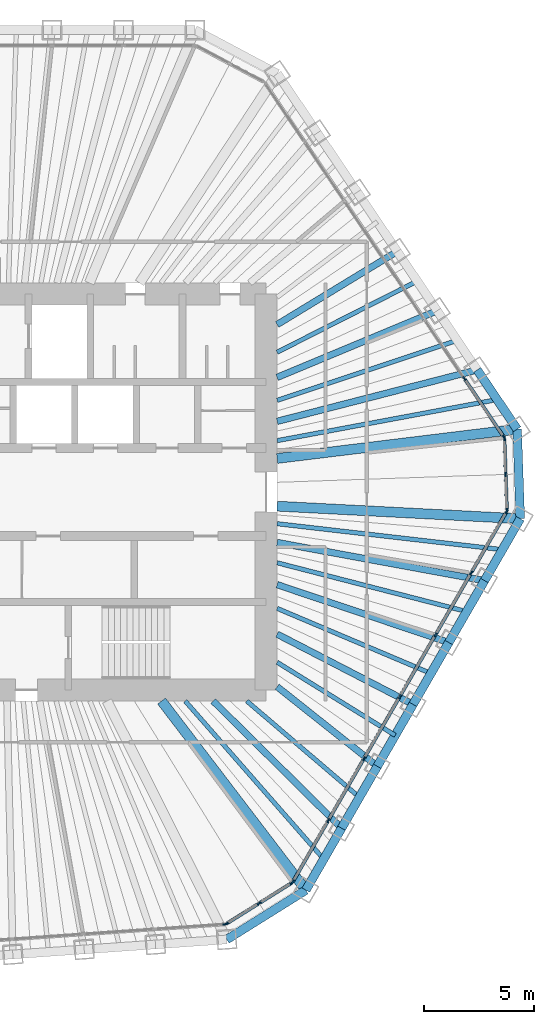
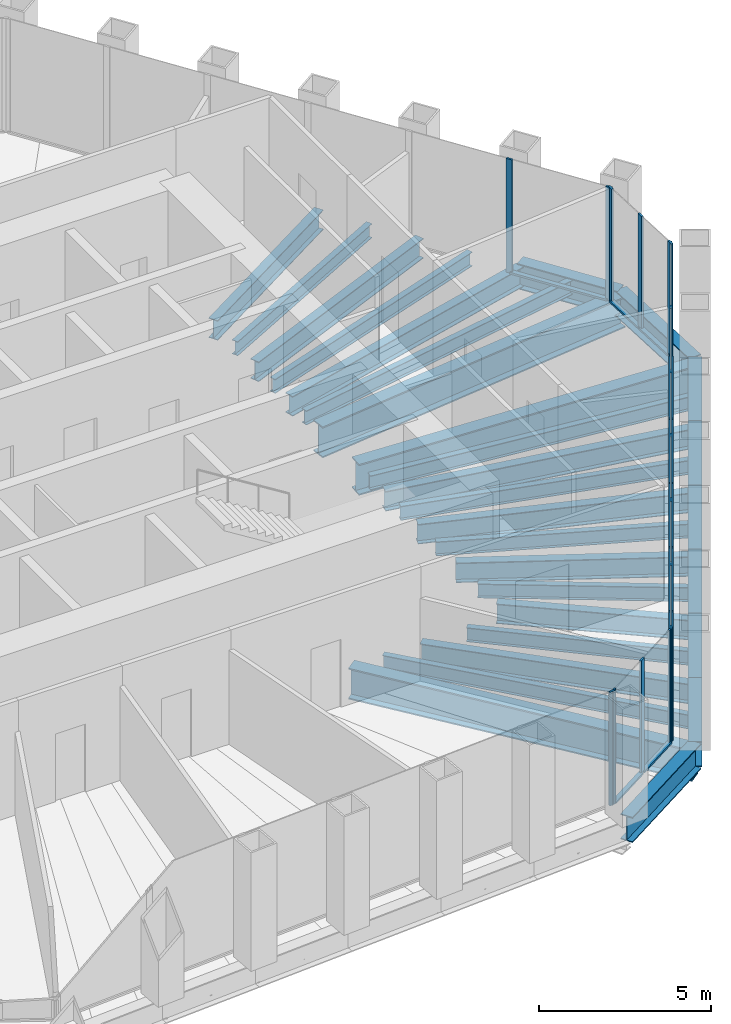
# One storey, part 5 of 14: 29 beams, 27 members, 5 elements without a shape of their own.
"""IFC4 building model written with IfcOpenShell, lengths in metres."""

import ifcopenshell
import ifcopenshell.guid

model = None  # the IFC model being written
_history = None  # IfcOwnerHistory: only IFC2X3 demands one
_inside = {}  # id of a spatial element -> (the spatial element, [elements in it])
_under = {}  # id of a project, library or spatial element -> (it, [spatial elements below it])
_declared = {}  # id of a project -> (the project, [libraries it declares])
_typed = {}  # id of a type object -> (the type object, [elements of that type])
_made_of = {}  # id of a material, layer set ... -> (it, [elements and type objects made of it])


def new_model(schema):
    """Start an empty IFC model of exactly this schema.

    Asked for "IFC4X3", IfcOpenShell would pick the latest addendum, in which some entities
    have other attributes; the version numbers below select the first issue.
    IFC2X3 requires an IfcOwnerHistory on every rooted entity: one is made here for all.
    """
    global model, _history
    if schema == "IFC4X3":
        model = ifcopenshell.file(schema_version=(4, 3, 0, 0))
    else:
        model = ifcopenshell.file(schema=schema)
    _inside.clear()
    _under.clear()
    _declared.clear()
    _typed.clear()
    _made_of.clear()
    _history = None
    if model.schema == "IFC2X3":
        org = make("IfcOrganization", Name="unknown")
        user = make(
            "IfcPersonAndOrganization",
            ThePerson=make("IfcPerson", FamilyName="unknown"),
            TheOrganization=org,
        )
        app = make(
            "IfcApplication",
            ApplicationDeveloper=org,
            Version="unknown",
            ApplicationFullName="unknown",
            ApplicationIdentifier="unknown",
        )
        _history = make(
            "IfcOwnerHistory",
            OwningUser=user,
            OwningApplication=app,
            ChangeAction="ADDED",
            CreationDate=0,
        )
    return model


def make(cls, **values):
    """One entity of the class cls with the attributes given. An attribute that is None is left unset."""
    return model.create_entity(
        cls, **{name: value for name, value in values.items() if value is not None}
    )


def rooted(cls, **values):
    """An entity with a GlobalId (a new one), such as an element, a storey or a relation."""
    return make(cls, GlobalId=ifcopenshell.guid.new(), OwnerHistory=_history, **values)


def si_unit(unit_type, name, prefix=None):
    """IfcSIUnit, for example si_unit("LENGTHUNIT", "METRE", prefix="MILLI")."""
    return make("IfcSIUnit", UnitType=unit_type, Prefix=prefix, Name=name)


def assignment(units):
    """IfcUnitAssignment: the units of a project."""
    return None if units is None else make("IfcUnitAssignment", Units=units)


def point(xyz):
    """IfcCartesianPoint."""
    return None if xyz is None else make("IfcCartesianPoint", Coordinates=xyz)


def direction(xyz):
    """IfcDirection."""
    return None if xyz is None else make("IfcDirection", DirectionRatios=xyz)


def frame(location, z_axis=None, x_axis=None):
    """IfcAxis2Placement3D, a coordinate frame: its origin and axes. An axis left out is left unset."""
    return make(
        "IfcAxis2Placement3D",
        Location=point(location),
        Axis=direction(z_axis),
        RefDirection=direction(x_axis),
    )


def frame_2d(location, x_axis=None):
    """IfcAxis2Placement2D, a coordinate frame in the plane: its origin and x axis."""
    return make(
        "IfcAxis2Placement2D", Location=point(location), RefDirection=direction(x_axis)
    )


def origin():
    """The frame at (0, 0, 0) with its axes left unset."""
    return frame((0.0, 0.0, 0.0))


def origin_2d():
    """The frame at (0, 0) in the plane with its x axis left unset."""
    return frame_2d((0.0, 0.0))


def place(relative_to, where):
    """IfcLocalPlacement: puts the frame where relative to a parent placement (None: the world)."""
    return make(
        "IfcLocalPlacement", PlacementRelTo=relative_to, RelativePlacement=where
    )


def context(
    kind, dimensions, precision=None, world=None, true_north=None, identifier=None
):
    """IfcGeometricRepresentationContext, for example the 3D "Model" context."""
    return make(
        "IfcGeometricRepresentationContext",
        ContextIdentifier=identifier,
        ContextType=kind,
        CoordinateSpaceDimension=dimensions,
        Precision=precision,
        WorldCoordinateSystem=world,
        TrueNorth=true_north,
    )


def subcontext(parent, identifier, kind, view, scale=None):
    """IfcGeometricRepresentationSubContext, for example "Body" below "Model"."""
    return make(
        "IfcGeometricRepresentationSubContext",
        ContextIdentifier=identifier,
        ContextType=kind,
        ParentContext=parent,
        TargetScale=scale,
        TargetView=view,
    )


def project(units=None, contexts=None):
    """IfcProject with its units and contexts."""
    return rooted(
        "IfcProject",
        Name="project",
        RepresentationContexts=contexts,
        UnitsInContext=assignment(units),
    )


def spatial(cls, under=None, at=None, **own):
    """A site, building, storey or space (cls), placed at a placement, below another one or the project."""
    s = rooted(cls, ObjectPlacement=at, **own)
    if under is not None:
        _under.setdefault(under.id(), (under, []))[1].append(s)
    return s


def profile(cls, at=None, kind="AREA", **sizes):
    """A parametric profile (cls). Its sizes go by their IFC names, for example OverallWidth=200.0."""
    return make(cls, ProfileType=kind, Position=at, **sizes)


def rectangle(**sizes):
    """IfcRectangleProfileDef."""
    return profile("IfcRectangleProfileDef", **sizes)


def i_section(**sizes):
    """IfcIShapeProfileDef."""
    return profile("IfcIShapeProfileDef", **sizes)


def extrude(swept, where, along, depth):
    """IfcExtrudedAreaSolid: the profile swept, set in the frame where, extruded along a direction by depth."""
    return make(
        "IfcExtrudedAreaSolid",
        SweptArea=swept,
        Position=where,
        ExtrudedDirection=direction(along),
        Depth=depth,
    )


def shape(context_of_items, identifier, shape_type, items):
    """IfcShapeRepresentation: the items that make up one representation, for example the "Body"."""
    return make(
        "IfcShapeRepresentation",
        ContextOfItems=context_of_items,
        RepresentationIdentifier=identifier,
        RepresentationType=shape_type,
        Items=items,
    )


def material(Name=None, Category=None):
    """IfcMaterial."""
    return make("IfcMaterial", Name=Name, Category=Category)


def material_profile(
    of_material, cross_section, Name=None, Category=None, Priority=None
):
    """IfcMaterialProfile: a cross section and its material."""
    return make(
        "IfcMaterialProfile",
        Name=Name,
        Material=of_material,
        Profile=cross_section,
        Priority=Priority,
        Category=Category,
    )


def profile_set(profiles, Name=None, composite=None):
    """IfcMaterialProfileSet."""
    return make(
        "IfcMaterialProfileSet",
        Name=Name,
        MaterialProfiles=profiles,
        CompositeProfile=composite,
    )


def made_of(thing, what):
    """Note that an element or type object is made of a material, layer set ...; save() writes the relation."""
    if what is not None:
        _made_of.setdefault(what.id(), (what, []))[1].append(thing)
    return thing


def type_object(cls, material=None, **own):
    """A type object (cls), such as IfcWallType, which elements share."""
    return made_of(rooted(cls, **own), material)


def element(
    cls,
    number,
    at=None,
    inside=None,
    cuts=None,
    type_object=None,
    material=None,
    context=None,
    identifier="Body",
    shape_type=None,
    held_by="IfcProductDefinitionShape",
    body=None,
    shapes=None,
    **own,
):
    """One element of the class cls, such as IfcWall. Its Tag is "e" and its number.

    at: its placement. inside: the storey or other place that contains it. cuts: it is an
    opening in that element (IfcRelVoidsElement). A single representation is given by context,
    identifier, shape_type and body (its items); several are given by shapes. held_by: the class
    of the entity that holds the representations. save() writes the other relations.
    """
    e = rooted(cls, Tag="e%d" % number, ObjectPlacement=at, **own)
    if body is not None:
        shapes = [shape(context, identifier, shape_type, body)]
    if shapes is not None:
        e.Representation = make(held_by, Representations=shapes)
    if inside is not None:
        _inside.setdefault(inside.id(), (inside, []))[1].append(e)
    if cuts is not None:
        rooted(
            "IfcRelVoidsElement", RelatingBuildingElement=cuts, RelatedOpeningElement=e
        )
    if type_object is not None:
        _typed.setdefault(type_object.id(), (type_object, []))[1].append(e)
    return made_of(e, material)


def aggregate(whole, parts):
    """IfcRelAggregates: a whole, such as a stair, and the parts it consists of."""
    return rooted("IfcRelAggregates", RelatingObject=whole, RelatedObjects=parts)


def save(model, path):
    """Write the relations noted so far, then the file.

    IfcRelAggregates (storeys below a building ...), IfcRelContainedInSpatialStructure (elements
    in a storey), IfcRelDefinesByType, IfcRelAssociatesMaterial and IfcRelDeclares: one each for
    every whole, place, type object, material and project.
    """
    for whole, parts in _under.values():
        aggregate(whole, parts)
    for where, things in _inside.values():
        rooted(
            "IfcRelContainedInSpatialStructure",
            RelatedElements=things,
            RelatingStructure=where,
        )
    for kind, things in _typed.values():
        rooted("IfcRelDefinesByType", RelatedObjects=things, RelatingType=kind)
    for what, things in _made_of.values():
        rooted("IfcRelAssociatesMaterial", RelatedObjects=things, RelatingMaterial=what)
    for by, libraries in _declared.values():
        rooted("IfcRelDeclares", RelatingContext=by, RelatedDefinitions=libraries)
    model.write(path)


model = new_model("IFC4")

# Units and contexts
model_context = context("Model", 3, precision=1e-05, world=origin(), true_north=direction((0.0, 1.0)))
body_context = subcontext(model_context, "Body", "Model", "MODEL_VIEW")
ifc_project = project(units=[si_unit("LENGTHUNIT", "METRE"), si_unit("AREAUNIT", "SQUARE_METRE"), si_unit("VOLUMEUNIT", "CUBIC_METRE"), si_unit("PLANEANGLEUNIT", "RADIAN"), si_unit("MASSUNIT", "GRAM", prefix="KILO")], contexts=[model_context])

# Site, building, storey
site_placement = place(None, origin())
site = spatial("IfcSite", under=ifc_project, at=site_placement, CompositionType="ELEMENT")
building_placement = place(site_placement, origin())
building = spatial("IfcBuilding", under=site, at=building_placement, Name="Qingtian Harvest Tower", CompositionType="ELEMENT")
storey_placement = place(building_placement, frame((0.0, 0.0, 278.800048828125)))
storey = spatial("IfcBuildingStorey", under=building, at=storey_placement, Name="L61", CompositionType="ELEMENT", Elevation=278.800048828125)

# Beams
ifc_material_1 = material(Name="Steel SM570MC", Category="steel")
ifc_material_profile_1 = material_profile(ifc_material_1, i_section(OverallWidth=0.449951171875, OverallDepth=1.10009765625, WebThickness=0.02197265625, FlangeThickness=0.044921875, at=origin_2d()), Name="H1100x450x22x45")
ifc_profile_set_1 = profile_set([ifc_material_profile_1], Name="Steel SM570MC")
beam_type_1 = type_object("IfcBeamType", Name="Corner floor beam FB8 H1100x450x22x45", PredefinedType="BEAM", material=ifc_profile_set_1)
beam_1_placement = place(storey_placement, frame((23.405517578125, 2.85400390625, -0.719970703125), z_axis=(-0.99264704984, -0.12104476215, 0.0), x_axis=(0.12104476215, -0.99264704984, 0.0)))
element("IfcBeam", 1, at=beam_1_placement, inside=storey, type_object=beam_type_1, Name="Floor beam FB8 NE6", PredefinedType="BEAM", context=body_context, shape_type="SweptSolid", body=[
    extrude(i_section(OverallWidth=0.449951171875, OverallDepth=1.10009765625, WebThickness=0.02197265625, FlangeThickness=0.044921875, at=origin_2d()), origin(), (0.0, 0.0, 1.0), 10.986328125),
])
beam_2_placement = place(storey_placement, frame((23.547607421875, -1.21435546875, -0.719970703125), z_axis=(-0.998672453152, 0.051510497131, 0.0), x_axis=(-0.051510497131, -0.998672453152, 0.0)))
element("IfcBeam", 2, at=beam_2_placement, inside=storey, type_object=beam_type_1, Name="Floor beam FB8 SE0", PredefinedType="BEAM", context=body_context, shape_type="SweptSolid", body=[
    extrude(i_section(OverallWidth=0.449951171875, OverallDepth=1.10009765625, WebThickness=0.02197265625, FlangeThickness=0.044921875, at=origin_2d()), origin(), (0.0, 0.0, 1.0), 11.062255859375),
])
beam_3_placement = place(storey_placement, frame((13.803466796875, -18.091552734375, -0.719970703125), z_axis=(-0.60658352266, 0.795019767073, 0.0), x_axis=(-0.795019767073, -0.60658352266, 0.0)))
element("IfcBeam", 3, at=beam_3_placement, inside=storey, type_object=beam_type_1, Name="Floor beam FB8 SE6", PredefinedType="BEAM", context=body_context, shape_type="SweptSolid", body=[
    extrude(i_section(OverallWidth=0.449951171875, OverallDepth=1.10009765625, WebThickness=0.02197265625, FlangeThickness=0.044921875, at=origin_2d()), origin(), (0.0, 0.0, 1.0), 10.806640625),
])
ifc_material_2 = material(Name="Steel SN490B", Category="steel")
ifc_material_profile_2 = material_profile(ifc_material_2, i_section(OverallWidth=0.300048828125, OverallDepth=0.699951171875, WebThickness=0.012939453125, FlangeThickness=0.02392578125, at=origin_2d()), Name="H700x300x13x24")
ifc_profile_set_2 = profile_set([ifc_material_profile_2], Name="Steel SN490B")
beam_type_2 = type_object("IfcBeamType", Name="Floor beam FB4 H700x300x13x24", PredefinedType="BEAM", material=ifc_profile_set_2)
beam_4_placement = place(storey_placement, frame((17.956787109375, 10.93212890625, -0.52001953125), z_axis=(-0.854163869478, -0.520003926983, 0.0), x_axis=(0.520003926983, -0.854163869478, 0.0)))
element("IfcBeam", 4, at=beam_4_placement, inside=storey, type_object=beam_type_2, Name="Floor beam FB4 NE3", PredefinedType="BEAM", context=body_context, shape_type="SweptSolid", body=[
    extrude(i_section(OverallWidth=0.300048828125, OverallDepth=0.699951171875, WebThickness=0.012939453125, FlangeThickness=0.02392578125, at=origin_2d()), origin(), (0.0, 0.0, 1.0), 6.388427734375),
])
beam_5_placement = place(storey_placement, frame((19.77294921875, 8.2392578125, -0.52001953125), z_axis=(-0.923071422518, -0.38462858569, 0.0), x_axis=(0.38462858569, -0.923071422518, 0.0)))
element("IfcBeam", 5, at=beam_5_placement, inside=storey, type_object=beam_type_2, Name="Floor beam FB4 NE4", PredefinedType="BEAM", context=body_context, shape_type="SweptSolid", body=[
    extrude(i_section(OverallWidth=0.300048828125, OverallDepth=0.699951171875, WebThickness=0.012939453125, FlangeThickness=0.02392578125, at=origin_2d()), origin(), (0.0, 0.0, 1.0), 7.879150390625),
])
beam_6_placement = place(storey_placement, frame((21.58935546875, 5.546630859375, -0.52001953125), z_axis=(-0.968545797703, -0.248835362746, 0.0), x_axis=(0.248835362746, -0.968545797703, 0.0)))
element("IfcBeam", 6, at=beam_6_placement, inside=storey, type_object=beam_type_2, Name="Floor beam FB4 NE5", PredefinedType="BEAM", context=body_context, shape_type="SweptSolid", body=[
    extrude(i_section(OverallWidth=0.300048828125, OverallDepth=0.699951171875, WebThickness=0.012939453125, FlangeThickness=0.02392578125, at=origin_2d()), origin(), (0.0, 0.0, 1.0), 9.384521484375),
])
beam_7_placement = place(storey_placement, frame((21.923583984375, -4.027099609375, -0.52001953125), z_axis=(-0.983545410638, 0.180661078303, 0.0), x_axis=(-0.180661078303, -0.983545410638, 0.0)))
element("IfcBeam", 7, at=beam_7_placement, inside=storey, type_object=beam_type_2, Name="Floor beam FB4 SE1", PredefinedType="BEAM", context=body_context, shape_type="SweptSolid", body=[
    extrude(i_section(OverallWidth=0.300048828125, OverallDepth=0.699951171875, WebThickness=0.012939453125, FlangeThickness=0.02392578125, at=origin_2d()), origin(), (0.0, 0.0, 1.0), 9.581298828125),
])
beam_8_placement = place(storey_placement, frame((20.299560546875, -6.840087890625, -0.52001953125), z_axis=(-0.947645968799, 0.319322905253, 0.0), x_axis=(-0.319322905253, -0.947645968799, 0.0)))
element("IfcBeam", 8, at=beam_8_placement, inside=storey, type_object=beam_type_2, Name="Floor beam FB4 SE2", PredefinedType="BEAM", context=body_context, shape_type="SweptSolid", body=[
    extrude(i_section(OverallWidth=0.300048828125, OverallDepth=0.699951171875, WebThickness=0.012939453125, FlangeThickness=0.02392578125, at=origin_2d()), origin(), (0.0, 0.0, 1.0), 8.23046875),
])
beam_9_placement = place(storey_placement, frame((18.675537109375, -9.65283203125, -0.52001953125), z_axis=(-0.888355479692, 0.459156336884, 0.0), x_axis=(-0.459156336884, -0.888355479692, 0.0)))
element("IfcBeam", 9, at=beam_9_placement, inside=storey, type_object=beam_type_2, Name="Floor beam FB4 SE3", PredefinedType="BEAM", context=body_context, shape_type="SweptSolid", body=[
    extrude(i_section(OverallWidth=0.300048828125, OverallDepth=0.699951171875, WebThickness=0.012939453125, FlangeThickness=0.02392578125, at=origin_2d()), origin(), (0.0, 0.0, 1.0), 6.95166015625),
])
beam_10_placement = place(storey_placement, frame((17.051513671875, -12.4658203125, -0.52001953125), z_axis=(-0.783003151269, 0.622017736968, 0.0), x_axis=(-0.622017736968, -0.783003151269, 0.0)))
element("IfcBeam", 10, at=beam_10_placement, inside=storey, type_object=beam_type_2, Name="Floor beam FB4 SE4", PredefinedType="BEAM", context=body_context, shape_type="SweptSolid", body=[
    extrude(i_section(OverallWidth=0.300048828125, OverallDepth=0.699951171875, WebThickness=0.012939453125, FlangeThickness=0.02392578125, at=origin_2d()), origin(), (0.0, 0.0, 1.0), 5.81298828125),
])
beam_11_placement = place(storey_placement, frame((15.427490234375, -15.278564453125, -0.52001953125), z_axis=(-0.710532187344, 0.703664700513, 0.0), x_axis=(-0.703664700513, -0.710532187344, 0.0)))
element("IfcBeam", 11, at=beam_11_placement, inside=storey, type_object=beam_type_2, Name="Floor beam FB4 SE5", PredefinedType="BEAM", context=body_context, shape_type="SweptSolid", body=[
    extrude(i_section(OverallWidth=0.300048828125, OverallDepth=0.699951171875, WebThickness=0.012939453125, FlangeThickness=0.02392578125, at=origin_2d()), origin(), (0.0, 0.0, 1.0), 8.212158203125),
])
ifc_material_3 = material(Name="Steel SN490B", Category="steel")
ifc_material_profile_3 = material_profile(ifc_material_3, i_section(OverallWidth=0.199951171875, OverallDepth=0.5, WebThickness=0.010009765625, FlangeThickness=0.01611328125, at=origin_2d()), Name="H500x200x10x16")
ifc_profile_set_3 = profile_set([ifc_material_profile_3], Name="Steel SN490B")
beam_type_3 = type_object("IfcBeamType", Name="Floor joist J3 H500x200x10x16", PredefinedType="JOIST", material=ifc_profile_set_3)
beam_12_placement = place(storey_placement, frame((18.864990234375, 9.585693359375, -0.420166015625), z_axis=(-0.891515522375, -0.452990147094, 0.0), x_axis=(0.452990147094, -0.891515522375, 0.0)))
element("IfcBeam", 12, at=beam_12_placement, inside=storey, type_object=beam_type_3, Name="Floor joist J3 NE3", PredefinedType="JOIST", context=body_context, shape_type="SweptSolid", body=[
    extrude(i_section(OverallWidth=0.199951171875, OverallDepth=0.5, WebThickness=0.010009765625, FlangeThickness=0.01611328125, at=origin_2d()), origin(), (0.0, 0.0, 1.0), 7.139404296875),
])
beam_13_placement = place(storey_placement, frame((20.68115234375, 6.89306640625, -0.420166015625), z_axis=(-0.94869179092, -0.316202286267, 0.0), x_axis=(0.316202286267, -0.94869179092, 0.0)))
element("IfcBeam", 13, at=beam_13_placement, inside=storey, type_object=beam_type_3, Name="Floor joist J3 NE4", PredefinedType="JOIST", context=body_context, shape_type="SweptSolid", body=[
    extrude(i_section(OverallWidth=0.199951171875, OverallDepth=0.5, WebThickness=0.010009765625, FlangeThickness=0.01611328125, at=origin_2d()), origin(), (0.0, 0.0, 1.0), 8.62353515625),
])
beam_14_placement = place(storey_placement, frame((22.49755859375, 4.2001953125, -0.420166015625), z_axis=(-0.983015918388, -0.183520310038, 0.0), x_axis=(0.183520310038, -0.983015918388, 0.0)))
element("IfcBeam", 14, at=beam_14_placement, inside=storey, type_object=beam_type_3, Name="Floor joist J3 NE5", PredefinedType="JOIST", context=body_context, shape_type="SweptSolid", body=[
    extrude(i_section(OverallWidth=0.199951171875, OverallDepth=0.5, WebThickness=0.010009765625, FlangeThickness=0.01611328125, at=origin_2d()), origin(), (0.0, 0.0, 1.0), 10.17041015625),
])
beam_15_placement = place(storey_placement, frame((22.735595703125, -2.62060546875, -0.420166015625), z_axis=(-0.993423767351, 0.114495495381, 0.0), x_axis=(-0.114495495381, -0.993423767351, 0.0)))
element("IfcBeam", 15, at=beam_15_placement, inside=storey, type_object=beam_type_3, Name="Floor joist J3 SE0", PredefinedType="JOIST", context=body_context, shape_type="SweptSolid", body=[
    extrude(i_section(OverallWidth=0.199951171875, OverallDepth=0.5, WebThickness=0.010009765625, FlangeThickness=0.01611328125, at=origin_2d()), origin(), (0.0, 0.0, 1.0), 10.303466796875),
])
beam_16_placement = place(storey_placement, frame((21.111572265625, -5.43359375, -0.420166015625), z_axis=(-0.968434631662, 0.249267655738, 0.0), x_axis=(-0.249267655738, -0.968434631662, 0.0)))
element("IfcBeam", 16, at=beam_16_placement, inside=storey, type_object=beam_type_3, Name="Floor joist J3 SE1", PredefinedType="JOIST", context=body_context, shape_type="SweptSolid", body=[
    extrude(i_section(OverallWidth=0.199951171875, OverallDepth=0.5, WebThickness=0.010009765625, FlangeThickness=0.01611328125, at=origin_2d()), origin(), (0.0, 0.0, 1.0), 8.892333984375),
])
beam_17_placement = place(storey_placement, frame((19.487548828125, -8.246337890625, -0.420166015625), z_axis=(-0.920942823677, 0.389697723265, 0.0), x_axis=(-0.389697723265, -0.920942823677, 0.0)))
element("IfcBeam", 17, at=beam_17_placement, inside=storey, type_object=beam_type_3, Name="Floor joist J3 SE2", PredefinedType="JOIST", context=body_context, shape_type="SweptSolid", body=[
    extrude(i_section(OverallWidth=0.199951171875, OverallDepth=0.5, WebThickness=0.010009765625, FlangeThickness=0.01611328125, at=origin_2d()), origin(), (0.0, 0.0, 1.0), 7.58740234375),
])
beam_18_placement = place(storey_placement, frame((17.863525390625, -11.059326171875, -0.420166015625), z_axis=(-0.850245350939, 0.52638659102, 0.0), x_axis=(-0.52638659102, -0.850245350939, 0.0)))
element("IfcBeam", 18, at=beam_18_placement, inside=storey, type_object=beam_type_3, Name="Floor joist J3 SE3", PredefinedType="JOIST", context=body_context, shape_type="SweptSolid", body=[
    extrude(i_section(OverallWidth=0.199951171875, OverallDepth=0.5, WebThickness=0.010009765625, FlangeThickness=0.01611328125, at=origin_2d()), origin(), (0.0, 0.0, 1.0), 6.30810546875),
])
beam_19_placement = place(storey_placement, frame((16.239501953125, -13.8720703125, -0.420166015625), z_axis=(-0.760351288112, 0.649512061987, 0.0), x_axis=(-0.649512061987, -0.760351288112, 0.0)))
element("IfcBeam", 19, at=beam_19_placement, inside=storey, type_object=beam_type_3, Name="Floor joist J3 SE4", PredefinedType="JOIST", context=body_context, shape_type="SweptSolid", body=[
    extrude(i_section(OverallWidth=0.199951171875, OverallDepth=0.5, WebThickness=0.010009765625, FlangeThickness=0.01611328125, at=origin_2d()), origin(), (0.0, 0.0, 1.0), 6.731201171875),
])
beam_20_placement = place(storey_placement, frame((14.615478515625, -16.68505859375, -0.420166015625), z_axis=(-0.658906232771, 0.752225083612, 0.0), x_axis=(-0.752225083612, -0.658906232771, 0.0)))
element("IfcBeam", 20, at=beam_20_placement, inside=storey, type_object=beam_type_3, Name="Floor joist J3 SE5", PredefinedType="JOIST", context=body_context, shape_type="SweptSolid", body=[
    extrude(i_section(OverallWidth=0.199951171875, OverallDepth=0.5, WebThickness=0.010009765625, FlangeThickness=0.01611328125, at=origin_2d()), origin(), (0.0, 0.0, 1.0), 9.5517578125),
])

# Curtain wall, members
ifc_material_4 = material(Name="Bronze-anodised aluminium curtain wall", Category="aluminium")
curtain_wall_type = type_object("IfcCurtainWallType", Name="Curtain wall CW5 upper office", PredefinedType="USERDEFINED", material=ifc_material_4)
curtain_wall_1_placement = place(storey_placement, origin())
curtain_wall_1 = element("IfcCurtainWall", 21, at=curtain_wall_1_placement, inside=storey, type_object=curtain_wall_type, Name="Curtain wall CW5 L61 NE0-5", ObjectType="RECESSED CURTAIN WALL", PredefinedType="USERDEFINED")
ifc_material_5 = material(Name="Bronze-anodised aluminium mullion", Category="aluminium")
ifc_material_profile_4 = material_profile(ifc_material_5, rectangle(XDim=0.06494140625, YDim=0.199951171875, at=origin_2d()), Name="AL 65x200")
ifc_profile_set_4 = profile_set([ifc_material_profile_4], Name="Bronze-anodised aluminium mullion")
member_type_1 = type_object("IfcMemberType", Name="Mullion CWM 65x200", PredefinedType="MULLION", material=ifc_profile_set_4)
member_1_placement = place(storey_placement, frame((21.009033203125, 5.1552734375, 0.0), z_axis=(0.0, 0.0, 1.0), x_axis=(0.829037572555, 0.559192903471, 0.0)))
member_1 = element("IfcMember", 22, at=member_1_placement, type_object=member_type_1, Name="CW5 mullion 6", PredefinedType="MULLION", context=body_context, shape_type="SweptSolid", body=[
    extrude(rectangle(XDim=0.06494140625, YDim=0.199951171875, at=origin_2d()), origin(), (0.0, 0.0, 1.0), 4.030029296875),
])
member_2_placement = place(storey_placement, frame((22.80712890625, 2.489501953125, 0.0), z_axis=(0.0, 0.0, 1.0), x_axis=(0.829037572555, 0.559192903471, 0.0)))
member_2 = element("IfcMember", 23, at=member_2_placement, type_object=member_type_1, Name="CW5 mullion 7", PredefinedType="MULLION", context=body_context, shape_type="SweptSolid", body=[
    extrude(rectangle(XDim=0.06494140625, YDim=0.199951171875, at=origin_2d()), origin(), (0.0, 0.0, 1.0), 4.030029296875),
])

curtain_wall_2_placement = place(storey_placement, origin())
curtain_wall_2 = element("IfcCurtainWall", 24, at=curtain_wall_2_placement, inside=storey, type_object=curtain_wall_type, Name="Curtain wall CW5 L61 NEC", ObjectType="RECESSED CURTAIN WALL", PredefinedType="USERDEFINED")
member_3_placement = place(storey_placement, frame((22.826416015625, 2.429931640625, 0.0), z_axis=(0.0, 0.0, 1.0), x_axis=(0.999390827019, 0.034899496703, 0.0)))
member_3 = element("IfcMember", 25, at=member_3_placement, type_object=member_type_1, Name="CW5 mullion 1", PredefinedType="MULLION", context=body_context, shape_type="SweptSolid", body=[
    extrude(rectangle(XDim=0.06494140625, YDim=0.199951171875, at=origin_2d()), origin(), (0.0, 0.0, 1.0), 4.030029296875),
])
member_4_placement = place(storey_placement, frame((22.88330078125, 0.799072265625, 0.0), z_axis=(0.0, 0.0, 1.0), x_axis=(0.999390827019, 0.034899496703, 0.0)))
member_4 = element("IfcMember", 26, at=member_4_placement, type_object=member_type_1, Name="CW5 mullion 2", PredefinedType="MULLION", context=body_context, shape_type="SweptSolid", body=[
    extrude(rectangle(XDim=0.06494140625, YDim=0.199951171875, at=origin_2d()), origin(), (0.0, 0.0, 1.0), 4.030029296875),
])
member_5_placement = place(storey_placement, frame((22.9404296875, -0.831787109375, 0.0), z_axis=(0.0, 0.0, 1.0), x_axis=(0.999390827019, 0.034899496703, 0.0)))
member_5 = element("IfcMember", 27, at=member_5_placement, type_object=member_type_1, Name="CW5 mullion 3", PredefinedType="MULLION", context=body_context, shape_type="SweptSolid", body=[
    extrude(rectangle(XDim=0.06494140625, YDim=0.199951171875, at=origin_2d()), origin(), (0.0, 0.0, 1.0), 4.030029296875),
])

curtain_wall_3_placement = place(storey_placement, origin())
curtain_wall_3 = element("IfcCurtainWall", 28, at=curtain_wall_3_placement, inside=storey, type_object=curtain_wall_type, Name="Curtain wall CW5 L61 SE0-5", ObjectType="RECESSED CURTAIN WALL", PredefinedType="USERDEFINED")
member_6_placement = place(storey_placement, frame((22.92529296875, -0.892333984375, 0.0), z_axis=(0.0, 0.0, 1.0), x_axis=(0.866025403784, -0.5, 0.0)))
member_6 = element("IfcMember", 29, at=member_6_placement, type_object=member_type_1, Name="CW5 mullion 1", PredefinedType="MULLION", context=body_context, shape_type="SweptSolid", body=[
    extrude(rectangle(XDim=0.06494140625, YDim=0.199951171875, at=origin_2d()), origin(), (0.0, 0.0, 1.0), 4.030029296875),
])
member_7_placement = place(storey_placement, frame((21.3173828125, -3.67724609375, 0.0), z_axis=(0.0, 0.0, 1.0), x_axis=(0.866025403784, -0.5, 0.0)))
member_7 = element("IfcMember", 30, at=member_7_placement, type_object=member_type_1, Name="CW5 mullion 2", PredefinedType="MULLION", context=body_context, shape_type="SweptSolid", body=[
    extrude(rectangle(XDim=0.06494140625, YDim=0.199951171875, at=origin_2d()), origin(), (0.0, 0.0, 1.0), 4.030029296875),
])
member_8_placement = place(storey_placement, frame((19.693359375, -6.489990234375, 0.0), z_axis=(0.0, 0.0, 1.0), x_axis=(0.866025403784, -0.5, 0.0)))
member_8 = element("IfcMember", 31, at=member_8_placement, type_object=member_type_1, Name="CW5 mullion 3", PredefinedType="MULLION", context=body_context, shape_type="SweptSolid", body=[
    extrude(rectangle(XDim=0.06494140625, YDim=0.199951171875, at=origin_2d()), origin(), (0.0, 0.0, 1.0), 4.030029296875),
])
member_9_placement = place(storey_placement, frame((18.0693359375, -9.302978515625, 0.0), z_axis=(0.0, 0.0, 1.0), x_axis=(0.866025403784, -0.5, 0.0)))
member_9 = element("IfcMember", 32, at=member_9_placement, type_object=member_type_1, Name="CW5 mullion 4", PredefinedType="MULLION", context=body_context, shape_type="SweptSolid", body=[
    extrude(rectangle(XDim=0.06494140625, YDim=0.199951171875, at=origin_2d()), origin(), (0.0, 0.0, 1.0), 4.030029296875),
])
member_10_placement = place(storey_placement, frame((16.4453125, -12.11572265625, 0.0), z_axis=(0.0, 0.0, 1.0), x_axis=(0.866025403784, -0.5, 0.0)))
member_10 = element("IfcMember", 33, at=member_10_placement, type_object=member_type_1, Name="CW5 mullion 5", PredefinedType="MULLION", context=body_context, shape_type="SweptSolid", body=[
    extrude(rectangle(XDim=0.06494140625, YDim=0.199951171875, at=origin_2d()), origin(), (0.0, 0.0, 1.0), 4.030029296875),
])
member_11_placement = place(storey_placement, frame((14.8212890625, -14.9287109375, 0.0), z_axis=(0.0, 0.0, 1.0), x_axis=(0.866025403784, -0.5, 0.0)))
member_11 = element("IfcMember", 34, at=member_11_placement, type_object=member_type_1, Name="CW5 mullion 6", PredefinedType="MULLION", context=body_context, shape_type="SweptSolid", body=[
    extrude(rectangle(XDim=0.06494140625, YDim=0.199951171875, at=origin_2d()), origin(), (0.0, 0.0, 1.0), 4.030029296875),
])
member_12_placement = place(storey_placement, frame((13.213623046875, -17.71337890625, 0.0), z_axis=(0.0, 0.0, 1.0), x_axis=(0.866025403784, -0.5, 0.0)))
member_12 = element("IfcMember", 35, at=member_12_placement, type_object=member_type_1, Name="CW5 mullion 7", PredefinedType="MULLION", context=body_context, shape_type="SweptSolid", body=[
    extrude(rectangle(XDim=0.06494140625, YDim=0.199951171875, at=origin_2d()), origin(), (0.0, 0.0, 1.0), 4.030029296875),
])

curtain_wall_4_placement = place(storey_placement, origin())
curtain_wall_4 = element("IfcCurtainWall", 36, at=curtain_wall_4_placement, inside=storey, type_object=curtain_wall_type, Name="Curtain wall CW5 L61 SEC", ObjectType="RECESSED CURTAIN WALL", PredefinedType="USERDEFINED")
member_13_placement = place(storey_placement, frame((13.169921875, -17.7587890625, 0.0), z_axis=(0.0, 0.0, 1.0), x_axis=(0.529919264233, -0.848048096156, 0.0)))
member_13 = element("IfcMember", 37, at=member_13_placement, type_object=member_type_1, Name="CW5 mullion 1", PredefinedType="MULLION", context=body_context, shape_type="SweptSolid", body=[
    extrude(rectangle(XDim=0.06494140625, YDim=0.199951171875, at=origin_2d()), origin(), (0.0, 0.0, 1.0), 4.030029296875),
])
member_14_placement = place(storey_placement, frame((11.678955078125, -18.690185546875, 0.0), z_axis=(0.0, 0.0, 1.0), x_axis=(0.529919264233, -0.848048096156, 0.0)))
member_14 = element("IfcMember", 38, at=member_14_placement, type_object=member_type_1, Name="CW5 mullion 2", PredefinedType="MULLION", context=body_context, shape_type="SweptSolid", body=[
    extrude(rectangle(XDim=0.06494140625, YDim=0.199951171875, at=origin_2d()), origin(), (0.0, 0.0, 1.0), 4.030029296875),
])
member_15_placement = place(storey_placement, frame((10.188232421875, -19.621826171875, 0.0), z_axis=(0.0, 0.0, 1.0), x_axis=(0.529919264233, -0.848048096156, 0.0)))
member_15 = element("IfcMember", 39, at=member_15_placement, type_object=member_type_1, Name="CW5 mullion 3", PredefinedType="MULLION", context=body_context, shape_type="SweptSolid", body=[
    extrude(rectangle(XDim=0.06494140625, YDim=0.199951171875, at=origin_2d()), origin(), (0.0, 0.0, 1.0), 4.030029296875),
])

# Curtain wall, member
curtain_wall_5_placement = place(storey_placement, origin())
curtain_wall_5 = element("IfcCurtainWall", 40, at=curtain_wall_5_placement, inside=storey, type_object=curtain_wall_type, Name="Curtain wall CW5 L61 S0-5", ObjectType="RECESSED CURTAIN WALL", PredefinedType="USERDEFINED")
member_16_placement = place(storey_placement, frame((10.128173828125, -19.641357421875, 0.0), z_axis=(0.0, 0.0, 1.0), x_axis=(0.069756473744, -0.99756405026, 0.0)))
member_16 = element("IfcMember", 41, at=member_16_placement, type_object=member_type_1, Name="CW5 mullion 1", PredefinedType="MULLION", context=body_context, shape_type="SweptSolid", body=[
    extrude(rectangle(XDim=0.06494140625, YDim=0.199951171875, at=origin_2d()), origin(), (0.0, 0.0, 1.0), 4.030029296875),
])
aggregate(curtain_wall_5, [member_16])

# Beams
ifc_material_6 = material(Name="Steel SN490B", Category="steel")
ifc_material_profile_5 = material_profile(ifc_material_6, i_section(OverallWidth=0.39990234375, OverallDepth=0.89990234375, WebThickness=0.01904296875, FlangeThickness=0.035888671875, at=origin_2d()), Name="H900x400x19x36")
ifc_profile_set_5 = profile_set([ifc_material_profile_5], Name="Steel SN490B")
beam_type_4 = type_object("IfcBeamType", Name="Spandrel beam SB4 H900x400x19x36", PredefinedType="SPANDREL", material=ifc_profile_set_5)
beam_21_placement = place(storey_placement, frame((21.58935546875, 5.546630859375, -0.449951171875), z_axis=(0.559184924833, -0.829042954158, 0.0), x_axis=(0.829042954158, 0.559184924833, 0.0)))
element("IfcBeam", 42, at=beam_21_placement, inside=storey, type_object=beam_type_4, Name="Spandrel SB4 NE5", PredefinedType="SPANDREL", context=body_context, shape_type="SweptSolid", body=[
    extrude(i_section(OverallWidth=0.39990234375, OverallDepth=0.89990234375, WebThickness=0.01904296875, FlangeThickness=0.035888671875, at=origin_2d()), origin(), (0.0, 0.0, 1.0), 3.247802734375),
])
beam_22_placement = place(storey_placement, frame((23.405517578125, 2.85400390625, -0.449951171875), z_axis=(0.034904306503, -0.999390659046, 0.0), x_axis=(0.999390659046, 0.034904306503, 0.0)))
element("IfcBeam", 43, at=beam_22_placement, inside=storey, type_object=beam_type_4, Name="Spandrel SB4 NEC", PredefinedType="SPANDREL", context=body_context, shape_type="SweptSolid", body=[
    extrude(i_section(OverallWidth=0.39990234375, OverallDepth=0.89990234375, WebThickness=0.01904296875, FlangeThickness=0.035888671875, at=origin_2d()), origin(), (0.0, 0.0, 1.0), 4.07080078125),
])
beam_23_placement = place(storey_placement, frame((23.547607421875, -1.21435546875, -0.449951171875), z_axis=(-0.500019593356, -0.866014091259, 0.0), x_axis=(0.866014091259, -0.500019593356, 0.0)))
element("IfcBeam", 44, at=beam_23_placement, inside=storey, type_object=beam_type_4, Name="Spandrel SB4 SE0", PredefinedType="SPANDREL", context=body_context, shape_type="SweptSolid", body=[
    extrude(i_section(OverallWidth=0.39990234375, OverallDepth=0.89990234375, WebThickness=0.01904296875, FlangeThickness=0.035888671875, at=origin_2d()), origin(), (0.0, 0.0, 1.0), 3.247802734375),
])
beam_24_placement = place(storey_placement, frame((21.923583984375, -4.027099609375, -0.449951171875), z_axis=(-0.499987045439, -0.866032882975, 0.0), x_axis=(0.866032882975, -0.499987045439, 0.0)))
element("IfcBeam", 45, at=beam_24_placement, inside=storey, type_object=beam_type_4, Name="Spandrel SB4 SE1", PredefinedType="SPANDREL", context=body_context, shape_type="SweptSolid", body=[
    extrude(i_section(OverallWidth=0.39990234375, OverallDepth=0.89990234375, WebThickness=0.01904296875, FlangeThickness=0.035888671875, at=origin_2d()), origin(), (0.0, 0.0, 1.0), 3.248046875),
])
beam_25_placement = place(storey_placement, frame((20.299560546875, -6.840087890625, -0.449951171875), z_axis=(-0.500019593356, -0.866014091259, 0.0), x_axis=(0.866014091259, -0.500019593356, 0.0)))
element("IfcBeam", 46, at=beam_25_placement, inside=storey, type_object=beam_type_4, Name="Spandrel SB4 SE2", PredefinedType="SPANDREL", context=body_context, shape_type="SweptSolid", body=[
    extrude(i_section(OverallWidth=0.39990234375, OverallDepth=0.89990234375, WebThickness=0.01904296875, FlangeThickness=0.035888671875, at=origin_2d()), origin(), (0.0, 0.0, 1.0), 3.247802734375),
])
beam_26_placement = place(storey_placement, frame((18.675537109375, -9.65283203125, -0.449951171875), z_axis=(-0.499987045439, -0.866032882975, 0.0), x_axis=(0.866032882975, -0.499987045439, 0.0)))
element("IfcBeam", 47, at=beam_26_placement, inside=storey, type_object=beam_type_4, Name="Spandrel SB4 SE3", PredefinedType="SPANDREL", context=body_context, shape_type="SweptSolid", body=[
    extrude(i_section(OverallWidth=0.39990234375, OverallDepth=0.89990234375, WebThickness=0.01904296875, FlangeThickness=0.035888671875, at=origin_2d()), origin(), (0.0, 0.0, 1.0), 3.248046875),
])
beam_27_placement = place(storey_placement, frame((17.051513671875, -12.4658203125, -0.449951171875), z_axis=(-0.500019593356, -0.866014091259, 0.0), x_axis=(0.866014091259, -0.500019593356, 0.0)))
element("IfcBeam", 48, at=beam_27_placement, inside=storey, type_object=beam_type_4, Name="Spandrel SB4 SE4", PredefinedType="SPANDREL", context=body_context, shape_type="SweptSolid", body=[
    extrude(i_section(OverallWidth=0.39990234375, OverallDepth=0.89990234375, WebThickness=0.01904296875, FlangeThickness=0.035888671875, at=origin_2d()), origin(), (0.0, 0.0, 1.0), 3.247802734375),
])
beam_28_placement = place(storey_placement, frame((15.427490234375, -15.278564453125, -0.449951171875), z_axis=(-0.499987045439, -0.866032882975, 0.0), x_axis=(0.866032882975, -0.499987045439, 0.0)))
element("IfcBeam", 49, at=beam_28_placement, inside=storey, type_object=beam_type_4, Name="Spandrel SB4 SE5", PredefinedType="SPANDREL", context=body_context, shape_type="SweptSolid", body=[
    extrude(i_section(OverallWidth=0.39990234375, OverallDepth=0.89990234375, WebThickness=0.01904296875, FlangeThickness=0.035888671875, at=origin_2d()), origin(), (0.0, 0.0, 1.0), 3.248046875),
])
beam_29_placement = place(storey_placement, frame((13.803466796875, -18.091552734375, -0.449951171875), z_axis=(-0.848040374245, -0.529931621675, 0.0), x_axis=(0.529931621675, -0.848040374245, 0.0)))
element("IfcBeam", 50, at=beam_29_placement, inside=storey, type_object=beam_type_4, Name="Spandrel SB4 SEC", PredefinedType="SPANDREL", context=body_context, shape_type="SweptSolid", body=[
    extrude(i_section(OverallWidth=0.39990234375, OverallDepth=0.89990234375, WebThickness=0.01904296875, FlangeThickness=0.035888671875, at=origin_2d()), origin(), (0.0, 0.0, 1.0), 4.238037109375),
])

# Member
ifc_material_7 = material(Name="Bronze-anodised aluminium transom", Category="aluminium")
ifc_material_profile_6 = material_profile(ifc_material_7, rectangle(XDim=0.14990234375, YDim=0.06494140625, at=origin_2d()), Name="AL 65x150")
ifc_profile_set_6 = profile_set([ifc_material_profile_6], Name="Bronze-anodised aluminium transom")
member_type_2 = type_object("IfcMemberType", Name="Transom CWT 65x150", PredefinedType="USERDEFINED", material=ifc_profile_set_6)
member_17_placement = place(storey_placement, frame((21.027099609375, 5.128173828125, 0.032470703125), z_axis=(0.559198649732, -0.829033696624, 0.0), x_axis=(0.829033696624, 0.559198649732, 0.0)))
member_17 = element("IfcMember", 51, at=member_17_placement, type_object=member_type_2, Name="CW5 transom 6.1", ObjectType="TRANSOM", PredefinedType="USERDEFINED", context=body_context, shape_type="SweptSolid", body=[
    extrude(rectangle(XDim=0.14990234375, YDim=0.06494140625, at=origin_2d()), origin(), (0.0, 0.0, 1.0), 3.150390625),
])

aggregate(curtain_wall_1, [member_1, member_2, member_17])

member_18_placement = place(storey_placement, frame((22.82763671875, 2.3974609375, 0.032470703125), z_axis=(0.034902326647, -0.999390728191, 0.0), x_axis=(0.999390728191, 0.034902326647, 0.0)))
member_18 = element("IfcMember", 52, at=member_18_placement, type_object=member_type_2, Name="CW5 transom 1.1", ObjectType="TRANSOM", PredefinedType="USERDEFINED", context=body_context, shape_type="SweptSolid", body=[
    extrude(rectangle(XDim=0.14990234375, YDim=0.06494140625, at=origin_2d()), origin(), (0.0, 0.0, 1.0), 1.56689453125),
])

member_19_placement = place(storey_placement, frame((22.884521484375, 0.7666015625, 0.032470703125), z_axis=(0.034902326647, -0.999390728191, 0.0), x_axis=(0.999390728191, 0.034902326647, 0.0)))
member_19 = element("IfcMember", 53, at=member_19_placement, type_object=member_type_2, Name="CW5 transom 2.1", ObjectType="TRANSOM", PredefinedType="USERDEFINED", context=body_context, shape_type="SweptSolid", body=[
    extrude(rectangle(XDim=0.14990234375, YDim=0.06494140625, at=origin_2d()), origin(), (0.0, 0.0, 1.0), 1.56689453125),
])

aggregate(curtain_wall_2, [member_3, member_4, member_5, member_18, member_19])

member_20_placement = place(storey_placement, frame((22.908935546875, -0.920654296875, 0.032470703125), z_axis=(-0.50000643655, -0.866021687608, 0.0), x_axis=(0.866021687608, -0.50000643655, 0.0)))
member_20 = element("IfcMember", 54, at=member_20_placement, type_object=member_type_2, Name="CW5 transom 1.1", ObjectType="TRANSOM", PredefinedType="USERDEFINED", context=body_context, shape_type="SweptSolid", body=[
    extrude(rectangle(XDim=0.14990234375, YDim=0.06494140625, at=origin_2d()), origin(), (0.0, 0.0, 1.0), 3.150390625),
])

member_21_placement = place(storey_placement, frame((21.30126953125, -3.705322265625, 0.032470703125), z_axis=(-0.5000079448, -0.866020816803, 0.0), x_axis=(0.866020816803, -0.5000079448, 0.0)))
member_21 = element("IfcMember", 55, at=member_21_placement, type_object=member_type_2, Name="CW5 transom 2.1", ObjectType="TRANSOM", PredefinedType="USERDEFINED", context=body_context, shape_type="SweptSolid", body=[
    extrude(rectangle(XDim=0.14990234375, YDim=0.06494140625, at=origin_2d()), origin(), (0.0, 0.0, 1.0), 3.18310546875),
])

member_22_placement = place(storey_placement, frame((19.67724609375, -6.51806640625, 0.032470703125), z_axis=(-0.5000079448, -0.866020816803, 0.0), x_axis=(0.866020816803, -0.5000079448, 0.0)))
member_22 = element("IfcMember", 56, at=member_22_placement, type_object=member_type_2, Name="CW5 transom 3.1", ObjectType="TRANSOM", PredefinedType="USERDEFINED", context=body_context, shape_type="SweptSolid", body=[
    extrude(rectangle(XDim=0.14990234375, YDim=0.06494140625, at=origin_2d()), origin(), (0.0, 0.0, 1.0), 3.18310546875),
])

member_23_placement = place(storey_placement, frame((18.05322265625, -9.3310546875, 0.032470703125), z_axis=(-0.5000079448, -0.866020816803, 0.0), x_axis=(0.866020816803, -0.5000079448, 0.0)))
member_23 = element("IfcMember", 57, at=member_23_placement, type_object=member_type_2, Name="CW5 transom 4.1", ObjectType="TRANSOM", PredefinedType="USERDEFINED", context=body_context, shape_type="SweptSolid", body=[
    extrude(rectangle(XDim=0.14990234375, YDim=0.06494140625, at=origin_2d()), origin(), (0.0, 0.0, 1.0), 3.18310546875),
])

member_24_placement = place(storey_placement, frame((16.42919921875, -12.143798828125, 0.032470703125), z_axis=(-0.5000079448, -0.866020816803, 0.0), x_axis=(0.866020816803, -0.5000079448, 0.0)))
member_24 = element("IfcMember", 58, at=member_24_placement, type_object=member_type_2, Name="CW5 transom 5.1", ObjectType="TRANSOM", PredefinedType="USERDEFINED", context=body_context, shape_type="SweptSolid", body=[
    extrude(rectangle(XDim=0.14990234375, YDim=0.06494140625, at=origin_2d()), origin(), (0.0, 0.0, 1.0), 3.18310546875),
])

member_25_placement = place(storey_placement, frame((14.80517578125, -14.956787109375, 0.032470703125), z_axis=(-0.499972881236, -0.866041060244, 0.0), x_axis=(0.866041060244, -0.499972881236, 0.0)))
member_25 = element("IfcMember", 59, at=member_25_placement, type_object=member_type_2, Name="CW5 transom 6.1", ObjectType="TRANSOM", PredefinedType="USERDEFINED", context=body_context, shape_type="SweptSolid", body=[
    extrude(rectangle(XDim=0.14990234375, YDim=0.06494140625, at=origin_2d()), origin(), (0.0, 0.0, 1.0), 3.150634765625),
])

aggregate(curtain_wall_3, [member_6, member_7, member_8, member_9, member_10, member_11, member_12, member_20, member_21, member_22, member_23, member_24, member_25])

member_26_placement = place(storey_placement, frame((13.142333984375, -17.77587890625, 0.032470703125), z_axis=(-0.84803880708, -0.529934129573, 0.0), x_axis=(0.529934129573, -0.84803880708, 0.0)))
member_26 = element("IfcMember", 60, at=member_26_placement, type_object=member_type_2, Name="CW5 transom 1.1", ObjectType="TRANSOM", PredefinedType="USERDEFINED", context=body_context, shape_type="SweptSolid", body=[
    extrude(rectangle(XDim=0.14990234375, YDim=0.06494140625, at=origin_2d()), origin(), (0.0, 0.0, 1.0), 1.693115234375),
])

member_27_placement = place(storey_placement, frame((11.6513671875, -18.70751953125, 0.032470703125), z_axis=(-0.847998304005, -0.529998940003, 0.0), x_axis=(0.529998940003, -0.847998304005, 0.0)))
member_27 = element("IfcMember", 61, at=member_27_placement, type_object=member_type_2, Name="CW5 transom 2.1", ObjectType="TRANSOM", PredefinedType="USERDEFINED", context=body_context, shape_type="SweptSolid", body=[
    extrude(rectangle(XDim=0.14990234375, YDim=0.06494140625, at=origin_2d()), origin(), (0.0, 0.0, 1.0), 1.69287109375),
])

aggregate(curtain_wall_4, [member_13, member_14, member_15, member_26, member_27])

save(model, "model.ifc")
